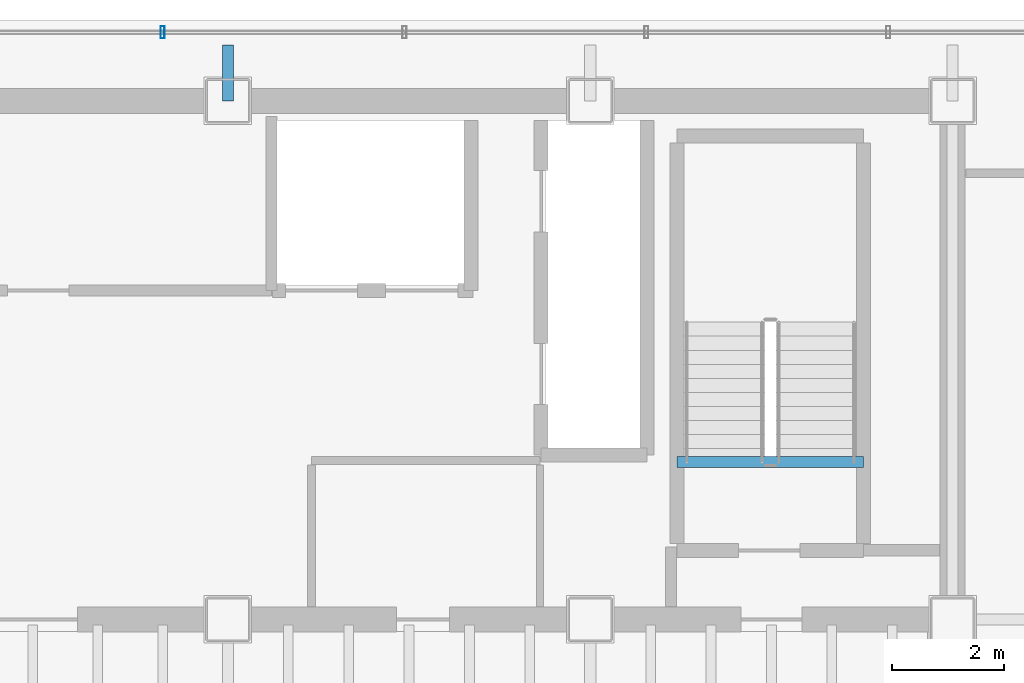
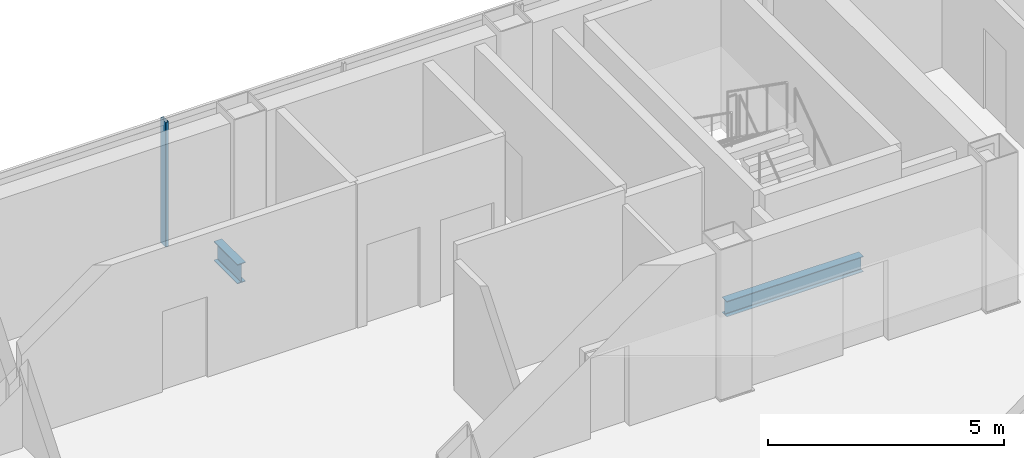
# One storey, part 7 of 15: 2 beams, 1 member, 1 element without a shape of its own.
"""IFC4 building model written with IfcOpenShell, lengths in metres."""

import ifcopenshell
import ifcopenshell.guid

model = None  # the IFC model being written
_history = None  # IfcOwnerHistory: only IFC2X3 demands one
_inside = {}  # id of a spatial element -> (the spatial element, [elements in it])
_under = {}  # id of a project, library or spatial element -> (it, [spatial elements below it])
_declared = {}  # id of a project -> (the project, [libraries it declares])
_typed = {}  # id of a type object -> (the type object, [elements of that type])
_made_of = {}  # id of a material, layer set ... -> (it, [elements and type objects made of it])


def new_model(schema):
    """Start an empty IFC model of exactly this schema.

    Asked for "IFC4X3", IfcOpenShell would pick the latest addendum, in which some entities
    have other attributes; the version numbers below select the first issue.
    IFC2X3 requires an IfcOwnerHistory on every rooted entity: one is made here for all.
    """
    global model, _history
    if schema == "IFC4X3":
        model = ifcopenshell.file(schema_version=(4, 3, 0, 0))
    else:
        model = ifcopenshell.file(schema=schema)
    _inside.clear()
    _under.clear()
    _declared.clear()
    _typed.clear()
    _made_of.clear()
    _history = None
    if model.schema == "IFC2X3":
        org = make("IfcOrganization", Name="unknown")
        user = make(
            "IfcPersonAndOrganization",
            ThePerson=make("IfcPerson", FamilyName="unknown"),
            TheOrganization=org,
        )
        app = make(
            "IfcApplication",
            ApplicationDeveloper=org,
            Version="unknown",
            ApplicationFullName="unknown",
            ApplicationIdentifier="unknown",
        )
        _history = make(
            "IfcOwnerHistory",
            OwningUser=user,
            OwningApplication=app,
            ChangeAction="ADDED",
            CreationDate=0,
        )
    return model


def make(cls, **values):
    """One entity of the class cls with the attributes given. An attribute that is None is left unset."""
    return model.create_entity(
        cls, **{name: value for name, value in values.items() if value is not None}
    )


def rooted(cls, **values):
    """An entity with a GlobalId (a new one), such as an element, a storey or a relation."""
    return make(cls, GlobalId=ifcopenshell.guid.new(), OwnerHistory=_history, **values)


def si_unit(unit_type, name, prefix=None):
    """IfcSIUnit, for example si_unit("LENGTHUNIT", "METRE", prefix="MILLI")."""
    return make("IfcSIUnit", UnitType=unit_type, Prefix=prefix, Name=name)


def assignment(units):
    """IfcUnitAssignment: the units of a project."""
    return None if units is None else make("IfcUnitAssignment", Units=units)


def point(xyz):
    """IfcCartesianPoint."""
    return None if xyz is None else make("IfcCartesianPoint", Coordinates=xyz)


def direction(xyz):
    """IfcDirection."""
    return None if xyz is None else make("IfcDirection", DirectionRatios=xyz)


def frame(location, z_axis=None, x_axis=None):
    """IfcAxis2Placement3D, a coordinate frame: its origin and axes. An axis left out is left unset."""
    return make(
        "IfcAxis2Placement3D",
        Location=point(location),
        Axis=direction(z_axis),
        RefDirection=direction(x_axis),
    )


def frame_2d(location, x_axis=None):
    """IfcAxis2Placement2D, a coordinate frame in the plane: its origin and x axis."""
    return make(
        "IfcAxis2Placement2D", Location=point(location), RefDirection=direction(x_axis)
    )


def origin():
    """The frame at (0, 0, 0) with its axes left unset."""
    return frame((0.0, 0.0, 0.0))


def origin_2d():
    """The frame at (0, 0) in the plane with its x axis left unset."""
    return frame_2d((0.0, 0.0))


def place(relative_to, where):
    """IfcLocalPlacement: puts the frame where relative to a parent placement (None: the world)."""
    return make(
        "IfcLocalPlacement", PlacementRelTo=relative_to, RelativePlacement=where
    )


def context(
    kind, dimensions, precision=None, world=None, true_north=None, identifier=None
):
    """IfcGeometricRepresentationContext, for example the 3D "Model" context."""
    return make(
        "IfcGeometricRepresentationContext",
        ContextIdentifier=identifier,
        ContextType=kind,
        CoordinateSpaceDimension=dimensions,
        Precision=precision,
        WorldCoordinateSystem=world,
        TrueNorth=true_north,
    )


def subcontext(parent, identifier, kind, view, scale=None):
    """IfcGeometricRepresentationSubContext, for example "Body" below "Model"."""
    return make(
        "IfcGeometricRepresentationSubContext",
        ContextIdentifier=identifier,
        ContextType=kind,
        ParentContext=parent,
        TargetScale=scale,
        TargetView=view,
    )


def project(units=None, contexts=None):
    """IfcProject with its units and contexts."""
    return rooted(
        "IfcProject",
        Name="project",
        RepresentationContexts=contexts,
        UnitsInContext=assignment(units),
    )


def spatial(cls, under=None, at=None, **own):
    """A site, building, storey or space (cls), placed at a placement, below another one or the project."""
    s = rooted(cls, ObjectPlacement=at, **own)
    if under is not None:
        _under.setdefault(under.id(), (under, []))[1].append(s)
    return s


def profile(cls, at=None, kind="AREA", **sizes):
    """A parametric profile (cls). Its sizes go by their IFC names, for example OverallWidth=200.0."""
    return make(cls, ProfileType=kind, Position=at, **sizes)


def hollow_rectangle(**sizes):
    """IfcRectangleHollowProfileDef."""
    return profile("IfcRectangleHollowProfileDef", **sizes)


def i_section(**sizes):
    """IfcIShapeProfileDef."""
    return profile("IfcIShapeProfileDef", **sizes)


def extrude(swept, where, along, depth):
    """IfcExtrudedAreaSolid: the profile swept, set in the frame where, extruded along a direction by depth."""
    return make(
        "IfcExtrudedAreaSolid",
        SweptArea=swept,
        Position=where,
        ExtrudedDirection=direction(along),
        Depth=depth,
    )


def shape(context_of_items, identifier, shape_type, items):
    """IfcShapeRepresentation: the items that make up one representation, for example the "Body"."""
    return make(
        "IfcShapeRepresentation",
        ContextOfItems=context_of_items,
        RepresentationIdentifier=identifier,
        RepresentationType=shape_type,
        Items=items,
    )


def material(Name=None, Category=None):
    """IfcMaterial."""
    return make("IfcMaterial", Name=Name, Category=Category)


def material_profile(
    of_material, cross_section, Name=None, Category=None, Priority=None
):
    """IfcMaterialProfile: a cross section and its material."""
    return make(
        "IfcMaterialProfile",
        Name=Name,
        Material=of_material,
        Profile=cross_section,
        Priority=Priority,
        Category=Category,
    )


def profile_set(profiles, Name=None, composite=None):
    """IfcMaterialProfileSet."""
    return make(
        "IfcMaterialProfileSet",
        Name=Name,
        MaterialProfiles=profiles,
        CompositeProfile=composite,
    )


def made_of(thing, what):
    """Note that an element or type object is made of a material, layer set ...; save() writes the relation."""
    if what is not None:
        _made_of.setdefault(what.id(), (what, []))[1].append(thing)
    return thing


def type_object(cls, material=None, **own):
    """A type object (cls), such as IfcWallType, which elements share."""
    return made_of(rooted(cls, **own), material)


def element(
    cls,
    number,
    at=None,
    inside=None,
    cuts=None,
    type_object=None,
    material=None,
    context=None,
    identifier="Body",
    shape_type=None,
    held_by="IfcProductDefinitionShape",
    body=None,
    shapes=None,
    **own,
):
    """One element of the class cls, such as IfcWall. Its Tag is "e" and its number.

    at: its placement. inside: the storey or other place that contains it. cuts: it is an
    opening in that element (IfcRelVoidsElement). A single representation is given by context,
    identifier, shape_type and body (its items); several are given by shapes. held_by: the class
    of the entity that holds the representations. save() writes the other relations.
    """
    e = rooted(cls, Tag="e%d" % number, ObjectPlacement=at, **own)
    if body is not None:
        shapes = [shape(context, identifier, shape_type, body)]
    if shapes is not None:
        e.Representation = make(held_by, Representations=shapes)
    if inside is not None:
        _inside.setdefault(inside.id(), (inside, []))[1].append(e)
    if cuts is not None:
        rooted(
            "IfcRelVoidsElement", RelatingBuildingElement=cuts, RelatedOpeningElement=e
        )
    if type_object is not None:
        _typed.setdefault(type_object.id(), (type_object, []))[1].append(e)
    return made_of(e, material)


def aggregate(whole, parts):
    """IfcRelAggregates: a whole, such as a stair, and the parts it consists of."""
    return rooted("IfcRelAggregates", RelatingObject=whole, RelatedObjects=parts)


def save(model, path):
    """Write the relations noted so far, then the file.

    IfcRelAggregates (storeys below a building ...), IfcRelContainedInSpatialStructure (elements
    in a storey), IfcRelDefinesByType, IfcRelAssociatesMaterial and IfcRelDeclares: one each for
    every whole, place, type object, material and project.
    """
    for whole, parts in _under.values():
        aggregate(whole, parts)
    for where, things in _inside.values():
        rooted(
            "IfcRelContainedInSpatialStructure",
            RelatedElements=things,
            RelatingStructure=where,
        )
    for kind, things in _typed.values():
        rooted("IfcRelDefinesByType", RelatedObjects=things, RelatingType=kind)
    for what, things in _made_of.values():
        rooted("IfcRelAssociatesMaterial", RelatedObjects=things, RelatingMaterial=what)
    for by, libraries in _declared.values():
        rooted("IfcRelDeclares", RelatingContext=by, RelatedDefinitions=libraries)
    model.write(path)


model = new_model("IFC4")

# Units and contexts
model_context = context("Model", 3, precision=1e-05, world=origin(), true_north=direction((0.0, 1.0)))
body_context = subcontext(model_context, "Body", "Model", "MODEL_VIEW")
ifc_project = project(units=[si_unit("LENGTHUNIT", "METRE"), si_unit("AREAUNIT", "SQUARE_METRE"), si_unit("VOLUMEUNIT", "CUBIC_METRE"), si_unit("PLANEANGLEUNIT", "RADIAN"), si_unit("MASSUNIT", "GRAM", prefix="KILO")], contexts=[model_context])

# Site, building, storey
site_placement = place(None, origin())
site = spatial("IfcSite", under=ifc_project, at=site_placement, CompositionType="ELEMENT")
building_placement = place(site_placement, origin())
building = spatial("IfcBuilding", under=site, at=building_placement, Name="Noeulbin Bourse Tower", CompositionType="ELEMENT")
storey_placement = place(building_placement, frame((0.0, 0.0, 218.89990234375)))
storey = spatial("IfcBuildingStorey", under=building, at=storey_placement, Name="L54", CompositionType="ELEMENT", Elevation=218.89990234375)

# Beams
ifc_material_1 = material(Name="Steel S355", Category="steel")
ifc_material_profile_1 = material_profile(ifc_material_1, i_section(OverallWidth=0.199951171875, OverallDepth=0.5, WebThickness=0.010009765625, FlangeThickness=0.01611328125, FilletRadius=0.02001953125, at=origin_2d()), Name="H-500x200x10x16", Category="LoadBearing")
ifc_profile_set_1 = profile_set([ifc_material_profile_1], Name="Steel S355")
beam_type_1 = type_object("IfcBeamType", Name="BM-GRD-500", PredefinedType="USERDEFINED", material=ifc_profile_set_1)
beam_1_placement = place(storey_placement, frame((31.0, 38.300048828125, -0.429931640625), z_axis=(0.0, 1.0, 0.0), x_axis=(-1.0, 0.0, 0.0)))
element("IfcBeam", 1, at=beam_1_placement, inside=storey, type_object=beam_type_1, Name="Tower Primary Girder NS L54-3.4", ObjectType="GIRDER", PredefinedType="USERDEFINED", context=body_context, shape_type="SweptSolid", body=[
    extrude(i_section(OverallWidth=0.199951171875, OverallDepth=0.5, WebThickness=0.010009765625, FlangeThickness=0.01611328125, FilletRadius=0.02001953125, at=origin_2d()), origin(), (0.0, 0.0, 1.0), 1.0),
])
ifc_material_profile_2 = material_profile(ifc_material_1, i_section(OverallWidth=0.199951171875, OverallDepth=0.39990234375, WebThickness=0.008056640625, FlangeThickness=0.012939453125, FilletRadius=0.01611328125, at=origin_2d()), Name="H-400x200x8x13", Category="LoadBearing")
ifc_profile_set_2 = profile_set([ifc_material_profile_2], Name="Steel S355")
beam_type_2 = type_object("IfcBeamType", Name="BM-SEC-400", PredefinedType="BEAM", material=ifc_profile_set_2)
beam_2_placement = place(storey_placement, frame((39.06005859375, 31.820068359375, -0.199951171875), z_axis=(1.0, 0.0, 0.0), x_axis=(0.0, 1.0, 0.0)))
element("IfcBeam", 2, at=beam_2_placement, inside=storey, type_object=beam_type_2, Name="Stair Threshold Trimmer Beam ST2-L54", PredefinedType="BEAM", context=body_context, shape_type="SweptSolid", body=[
    extrude(i_section(OverallWidth=0.199951171875, OverallDepth=0.39990234375, WebThickness=0.008056640625, FlangeThickness=0.012939453125, FilletRadius=0.01611328125, at=origin_2d()), origin(), (0.0, 0.0, 1.0), 3.33984375),
])

# Curtain wall, member
ifc_material_2 = material(Name="High-Selectivity Low-Iron Glazing", Category="glass")
curtain_wall_type = type_object("IfcCurtainWallType", Name="CW-SYS-4", PredefinedType="NOTDEFINED", material=ifc_material_2)
curtain_wall_placement = place(storey_placement, origin())
curtain_wall = element("IfcCurtainWall", 3, at=curtain_wall_placement, inside=storey, type_object=curtain_wall_type, Name="Unitised Curtain Wall CW-L54-N", PredefinedType="NOTDEFINED")
ifc_material_3 = material(Name="Anodised Aluminium 6063-T6", Category="aluminium")
ifc_material_profile_3 = material_profile(ifc_material_3, hollow_rectangle(XDim=0.074951171875, YDim=0.219970703125, WallThickness=0.0048828125, InnerFilletRadius=0.00244140625, OuterFilletRadius=0.0048828125, at=origin_2d()), Name="ALU-MULL-75x220x5", Category="LoadBearing")
ifc_profile_set_3 = profile_set([ifc_material_profile_3], Name="Anodised Aluminium 6063-T6")
member_type = type_object("IfcMemberType", Name="CW-SYS-4-MUL", PredefinedType="MULLION", material=ifc_profile_set_3)
member_placement = place(storey_placement, frame((29.8310546875, 39.530029296875, -0.02001953125), z_axis=(0.0, 0.0, 1.0), x_axis=(1.0, 0.0, 0.0)))
member = element("IfcMember", 4, at=member_placement, type_object=member_type, Name="Curtain Wall Mullion CW-L54-N-M04", PredefinedType="MULLION", context=body_context, shape_type="SweptSolid", body=[
    extrude(hollow_rectangle(XDim=0.074951171875, YDim=0.219970703125, WallThickness=0.0048828125, InnerFilletRadius=0.00244140625, OuterFilletRadius=0.0048828125, at=origin_2d()), origin(), (0.0, 0.0, 1.0), 3.22021484375),
])
aggregate(curtain_wall, [member])

save(model, "model.ifc")
